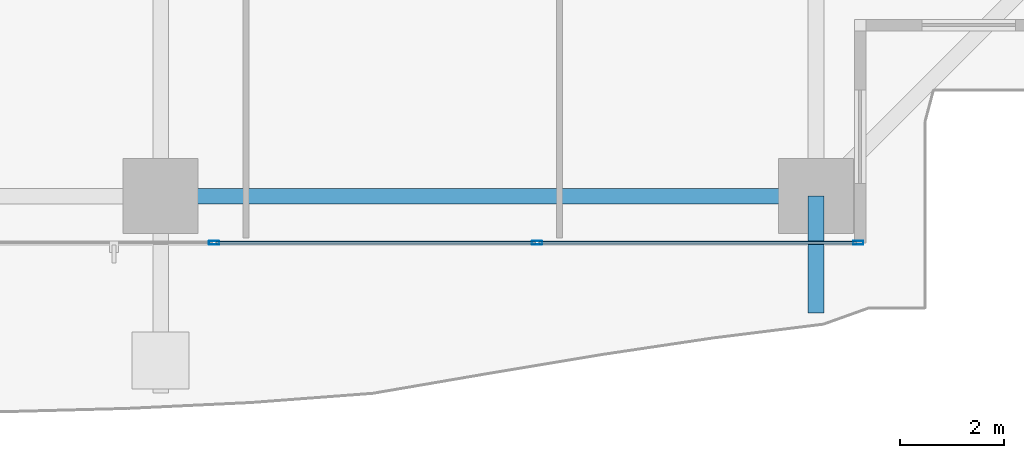
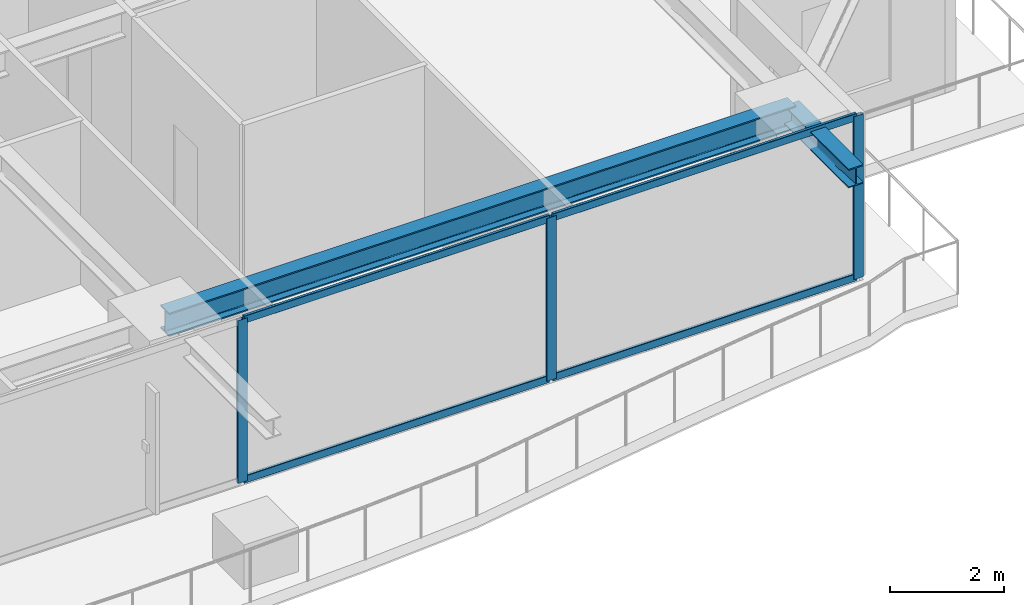
# One storey, part 11 of 41: 7 members, 2 beams, 1 element without a shape of its own.
"""IFC4 building model written with IfcOpenShell, lengths in metres."""

from ifc_helpers import new_model, si_unit, direction, frame, origin, origin_2d, place, context, subcontext, project, spatial, hollow_rectangle, i_section, extrude, source, transform, mapped, material, layer, layer_set, material_profile, profile_set, type_object, element, aggregate, save


model = new_model("IFC4")

# Units and contexts
model_context = context("Model", 3, precision=1e-05, world=origin(), true_north=direction((0.0, 1.0)))
body_context = subcontext(model_context, "Body", "Model", "MODEL_VIEW")
ifc_project = project(units=[si_unit("LENGTHUNIT", "METRE"), si_unit("AREAUNIT", "SQUARE_METRE"), si_unit("VOLUMEUNIT", "CUBIC_METRE"), si_unit("PLANEANGLEUNIT", "RADIAN"), si_unit("MASSUNIT", "GRAM", prefix="KILO")], contexts=[model_context])

# Site, building, storey
site_placement = place(None, origin())
site = spatial("IfcSite", under=ifc_project, at=site_placement, CompositionType="ELEMENT")
building_placement = place(site_placement, origin())
building = spatial("IfcBuilding", under=site, at=building_placement, Name="Serunith Strait Residences", CompositionType="ELEMENT")
storey_placement = place(building_placement, frame((0.0, 0.0, 75.449951171875)))
storey = spatial("IfcBuildingStorey", under=building, at=storey_placement, Name="L18", CompositionType="ELEMENT", Elevation=75.449951171875)

# Beams
ifc_material_1 = material(Name="Steel S355J2", Category="steel")
ifc_material_profile_1 = material_profile(ifc_material_1, i_section(OverallWidth=0.300048828125, OverallDepth=0.5, WebThickness=0.014404296875, FlangeThickness=0.028076171875, FilletRadius=0.027099609375, at=origin_2d()), Name="HEB 500")
ifc_profile_set_1 = profile_set([ifc_material_profile_1], Name="Steel S355J2")
beam_type_1 = type_object("IfcBeamType", Name="BM-HEB500", PredefinedType="BEAM", material=ifc_profile_set_1)
shared_shape_1 = source(origin(), body_context, "Body", "SweptSolid", [
    extrude(i_section(OverallWidth=0.300048828125, OverallDepth=0.5, WebThickness=0.014404296875, FlangeThickness=0.028076171875, FilletRadius=0.027099609375, at=origin_2d()), origin(), (0.0, 0.0, 1.0), 12.650146484375),
])
beam_1_placement = place(storey_placement, frame((36.89990234375, 1.10009765625, 3.237060546875), z_axis=(1.0, 0.0, 0.0), x_axis=(0.0, 1.0, 0.0)))
element("IfcBeam", 1, at=beam_1_placement, inside=storey, type_object=beam_type_1, Name="L18 Perimeter Ring Beam 03", PredefinedType="BEAM", context=body_context, shape_type="MappedRepresentation", body=[
    mapped(shared_shape_1, transform((0.0, 0.0, 0.0), scale=1.0)),
])
ifc_material_profile_2 = material_profile(ifc_material_1, i_section(OverallWidth=0.300048828125, OverallDepth=0.39990234375, WebThickness=0.013427734375, FlangeThickness=0.02392578125, FilletRadius=0.027099609375, at=origin_2d()), Name="HEB 400")
ifc_profile_set_2 = profile_set([ifc_material_profile_2], Name="Steel S355J2")
beam_type_2 = type_object("IfcBeamType", Name="BM-HEB400", PredefinedType="BEAM", material=ifc_profile_set_2)
shared_shape_2 = source(origin(), body_context, "Body", "SweptSolid", [
    extrude(i_section(OverallWidth=0.300048828125, OverallDepth=0.39990234375, WebThickness=0.013427734375, FlangeThickness=0.02392578125, FilletRadius=0.027099609375, at=origin_2d()), origin(), (0.0, 0.0, 1.0), 2.251708984375),
])
beam_2_placement = place(storey_placement, frame((49.550048828125, 1.10009765625, 3.257080078125), z_axis=(0.0, -1.0, 0.0), x_axis=(1.0, 0.0, 0.0)))
element("IfcBeam", 2, at=beam_2_placement, inside=storey, type_object=beam_type_2, Name="L19 Cantilevered Balcony Rib TC-S4", PredefinedType="BEAM", context=body_context, shape_type="MappedRepresentation", body=[
    mapped(shared_shape_2, transform((0.0, 0.0, 0.0), scale=1.0)),
])

# Curtain wall, members
ifc_material_2 = material(Name="Pale-Champagne Anodised Aluminium", Category="aluminium")
ifc_layer = layer(ifc_material_2, 0.199951171875, Name="Pale-Champagne Anodised Aluminium")
ifc_layer_set = layer_set([ifc_layer], Name="Pale-Champagne Anodised Aluminium")
curtain_wall_type = type_object("IfcCurtainWallType", Name="CW-SYS1", PredefinedType="NOTDEFINED", material=ifc_layer_set)
curtain_wall_placement = place(storey_placement, origin())
curtain_wall = element("IfcCurtainWall", 3, at=curtain_wall_placement, inside=storey, type_object=curtain_wall_type, Name="L18 S Unitised Fritted Curtain Wall", PredefinedType="NOTDEFINED")
ifc_material_profile_3 = material_profile(ifc_material_2, hollow_rectangle(XDim=0.070068359375, YDim=0.199951171875, WallThickness=0.00390625, InnerFilletRadius=0.006103515625, OuterFilletRadius=0.010009765625, at=origin_2d()), Name="ALU 200x70x4")
ifc_profile_set_3 = profile_set([ifc_material_profile_3], Name="Pale-Champagne Anodised Aluminium")
member_type_1 = type_object("IfcMemberType", Name="CW-SYS1-MULL", PredefinedType="MULLION", material=ifc_profile_set_3)
shared_shape_3 = source(origin(), body_context, "Body", "SweptSolid", [
    extrude(hollow_rectangle(XDim=0.070068359375, YDim=0.199951171875, WallThickness=0.00390625, InnerFilletRadius=0.006103515625, OuterFilletRadius=0.010009765625, at=origin_2d()), origin(), (0.0, 0.0, 1.0), 3.47509765625),
])
member_1_placement = place(storey_placement, frame((37.933349609375, 0.199951171875, 0.0), z_axis=(0.0, 0.0, 1.0), x_axis=(0.0, 1.0, 0.0)))
member_1 = element("IfcMember", 4, at=member_1_placement, type_object=member_type_1, Name="CW-1 mullion 2", PredefinedType="MULLION", context=body_context, shape_type="MappedRepresentation", body=[
    mapped(shared_shape_3, transform((0.0, 0.0, 0.0), scale=1.0)),
])
member_2_placement = place(storey_placement, frame((44.166748046875, 0.199951171875, 0.0), z_axis=(0.0, 0.0, 1.0), x_axis=(0.0, 1.0, 0.0)))
member_2 = element("IfcMember", 5, at=member_2_placement, type_object=member_type_1, Name="CW-1 mullion 3", PredefinedType="MULLION", context=body_context, shape_type="MappedRepresentation", body=[
    mapped(shared_shape_3, transform((0.0, 0.0, 0.0), scale=1.0)),
])
member_3_placement = place(storey_placement, frame((50.364990234375, 0.199951171875, 0.0), z_axis=(0.0, 0.0, 1.0), x_axis=(0.0, 1.0, 0.0)))
member_3 = element("IfcMember", 6, at=member_3_placement, type_object=member_type_1, Name="CW-1 mullion 4", PredefinedType="MULLION", context=body_context, shape_type="MappedRepresentation", body=[
    mapped(shared_shape_3, transform((0.0, 0.0, 0.0), scale=1.0)),
])
ifc_material_profile_4 = material_profile(ifc_material_2, hollow_rectangle(XDim=0.06005859375, YDim=0.159912109375, WallThickness=0.00341796875, InnerFilletRadius=0.00537109375, OuterFilletRadius=0.0087890625, at=origin_2d()), Name="ALU 160x60x3.5")
ifc_profile_set_4 = profile_set([ifc_material_profile_4], Name="Pale-Champagne Anodised Aluminium")
member_type_2 = type_object("IfcMemberType", Name="CW-SYS1-TRAN", PredefinedType="USERDEFINED", material=ifc_profile_set_4)
shared_shape_4 = source(origin(), body_context, "Body", "SweptSolid", [
    extrude(hollow_rectangle(XDim=0.06005859375, YDim=0.159912109375, WallThickness=0.00341796875, InnerFilletRadius=0.00537109375, OuterFilletRadius=0.0087890625, at=origin_2d()), origin(), (0.0, 0.0, 1.0), 6.12841796875),
])
member_4_placement = place(storey_placement, frame((44.20166015625, 0.199951171875, 0.030029296875), z_axis=(1.0, 0.0, 0.0), x_axis=(0.0, 1.0, 0.0)))
member_4 = element("IfcMember", 7, at=member_4_placement, type_object=member_type_2, Name="CW-1 transom 3.1", ObjectType="TRANSOM", PredefinedType="USERDEFINED", context=body_context, shape_type="MappedRepresentation", body=[
    mapped(shared_shape_4, transform((0.0, 0.0, 0.0), scale=1.0)),
])
member_5_placement = place(storey_placement, frame((44.20166015625, 0.199951171875, 3.445068359375), z_axis=(1.0, 0.0, 0.0), x_axis=(0.0, 1.0, 0.0)))
member_5 = element("IfcMember", 8, at=member_5_placement, type_object=member_type_2, Name="CW-1 transom 3.2", ObjectType="TRANSOM", PredefinedType="USERDEFINED", context=body_context, shape_type="MappedRepresentation", body=[
    mapped(shared_shape_4, transform((0.0, 0.0, 0.0), scale=1.0)),
])
shared_shape_5 = source(origin(), body_context, "Body", "SweptSolid", [
    extrude(hollow_rectangle(XDim=0.06005859375, YDim=0.159912109375, WallThickness=0.00341796875, InnerFilletRadius=0.00537109375, OuterFilletRadius=0.0087890625, at=origin_2d()), origin(), (0.0, 0.0, 1.0), 6.163330078125),
])
member_6_placement = place(storey_placement, frame((37.96826171875, 0.199951171875, 0.030029296875), z_axis=(1.0, 0.0, 0.0), x_axis=(0.0, 1.0, 0.0)))
member_6 = element("IfcMember", 9, at=member_6_placement, type_object=member_type_2, Name="CW-1 transom 2.1", ObjectType="TRANSOM", PredefinedType="USERDEFINED", context=body_context, shape_type="MappedRepresentation", body=[
    mapped(shared_shape_5, transform((0.0, 0.0, 0.0), scale=1.0)),
])
member_7_placement = place(storey_placement, frame((37.96826171875, 0.199951171875, 3.445068359375), z_axis=(1.0, 0.0, 0.0), x_axis=(0.0, 1.0, 0.0)))
member_7 = element("IfcMember", 10, at=member_7_placement, type_object=member_type_2, Name="CW-1 transom 2.2", ObjectType="TRANSOM", PredefinedType="USERDEFINED", context=body_context, shape_type="MappedRepresentation", body=[
    mapped(shared_shape_5, transform((0.0, 0.0, 0.0), scale=1.0)),
])
aggregate(curtain_wall, [member_1, member_2, member_3, member_6, member_7, member_4, member_5])

save(model, "model.ifc")
